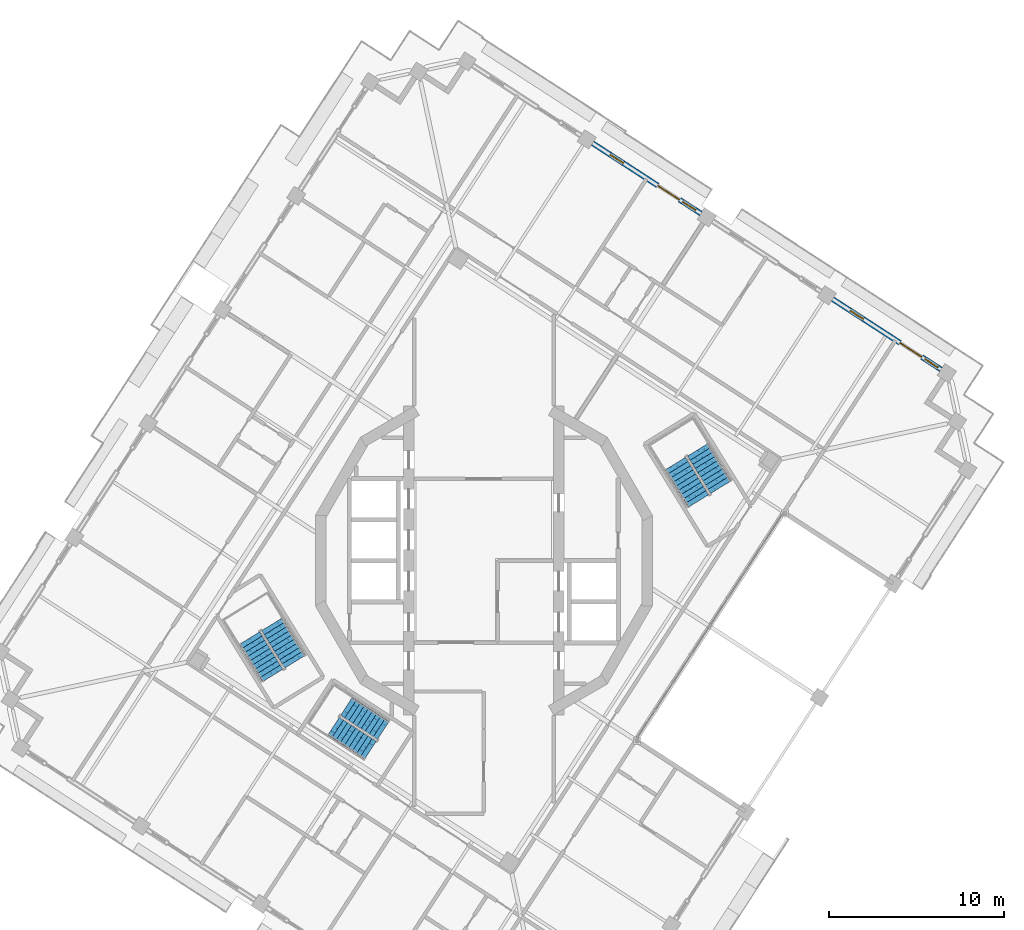
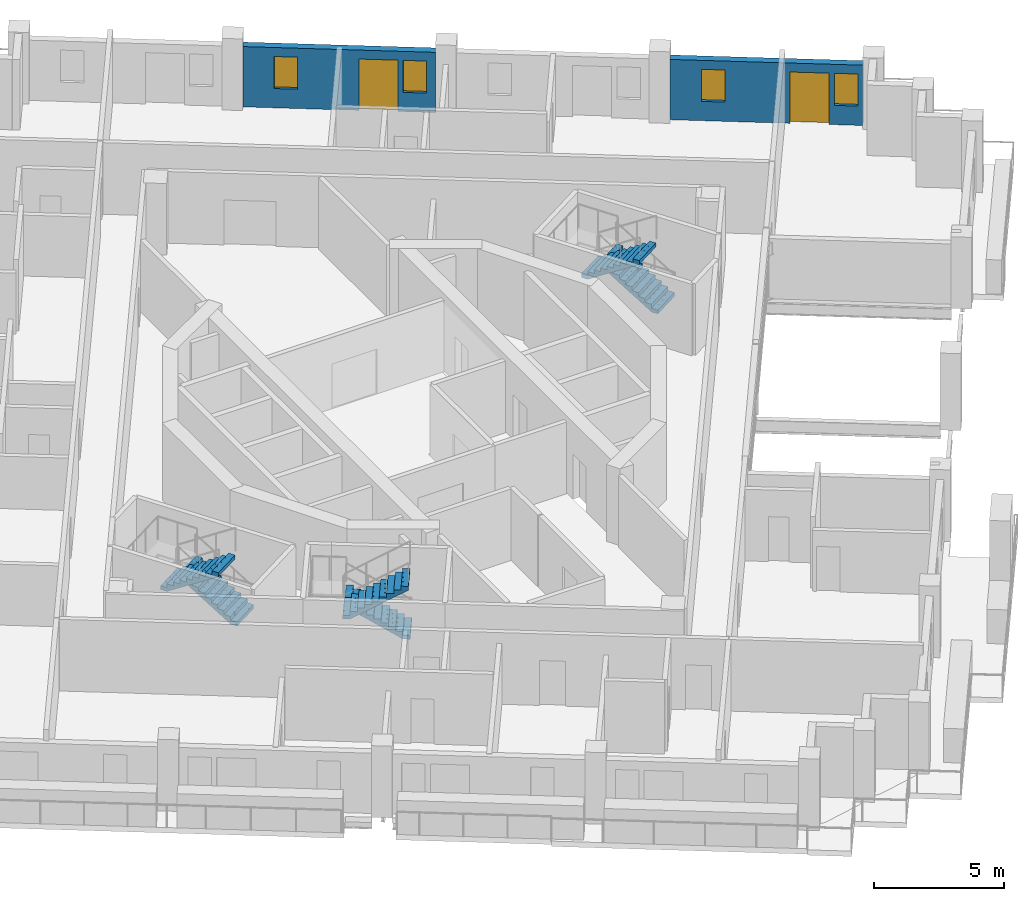
# One storey, part 11 of 17: 6 stair flights, 4 windows, 2 doors, 2 walls, 6 openings, 3 elements without a shape of their own.
"""IFC4 building model written with IfcOpenShell, lengths in metres."""

from ifc_helpers import new_model, si_unit, direction, frame, frame_2d, origin, place, context, subcontext, project, spatial, polyline, rectangle, outline, extrude, material, layer, layer_set, type_object, element, fill, aggregate, save


model = new_model("IFC4")

# Units and contexts
model_context = context("Model", 3, precision=1e-05, world=origin(), true_north=direction((0.0, 1.0)))
body_context = subcontext(model_context, "Body", "Model", "MODEL_VIEW")
ifc_project = project(units=[si_unit("LENGTHUNIT", "METRE"), si_unit("AREAUNIT", "SQUARE_METRE"), si_unit("VOLUMEUNIT", "CUBIC_METRE"), si_unit("PLANEANGLEUNIT", "RADIAN"), si_unit("MASSUNIT", "GRAM", prefix="KILO")], contexts=[model_context])

# Site, building, storey
site_placement = place(None, origin())
site = spatial("IfcSite", under=ifc_project, at=site_placement, CompositionType="ELEMENT")
building_placement = place(site_placement, origin())
building = spatial("IfcBuilding", under=site, at=building_placement, Name="Cantera Rosa Tower", CompositionType="ELEMENT")
storey_placement = place(building_placement, frame((0.0, 0.0, 264.89990234375)))
storey = spatial("IfcBuildingStorey", under=building, at=storey_placement, Name="L59", CompositionType="ELEMENT", Elevation=264.89990234375)

# Wall, openings, windows, door
ifc_material_1 = material(Name="Hollow clay masonry with cantera stone cladding", Category="masonry")
ifc_layer = layer(ifc_material_1, 0.300048828125)
ifc_layer_set = layer_set([ifc_layer], Name="EW-LOGGIA 300 H2820")
wall_type = type_object("IfcWallType", Name="EW-LOGGIA 300 H2820", PredefinedType="SOLIDWALL", material=ifc_layer_set)
wall_1_placement = place(storey_placement, frame((26.1904296875, 10.95263671875, 0.0), z_axis=(0.0, 0.0, 1.0), x_axis=(-0.838669679097, 0.544640403719, 0.0)))
wall_1 = element("IfcWall", 1, at=wall_1_placement, inside=storey, type_object=wall_type, Name="EN-L59-W01", PredefinedType="SOLIDWALL", context=body_context, shape_type="SweptSolid", body=[
    extrude(rectangle(XDim=7.39990234375, YDim=0.300048828125, at=frame_2d((3.699951171875, 0.0))), origin(), (0.0, 0.0, 1.0), 2.820068359375),
])
opening_1_placement = place(wall_1_placement, frame((0.199951171875, 0.0, 0.89990234375)))
opening_1 = element("IfcOpeningElement", 2, at=opening_1_placement, cuts=wall_1, Name="Opening L59-W01", PredefinedType="OPENING", context=body_context, shape_type="SweptSolid", body=[
    extrude(rectangle(XDim=0.89990234375, YDim=1.5, at=frame_2d((0.449951171875, 0.75))), frame((0.0, 0.159912109375, 0.0), z_axis=(0.0, -1.0, 0.0), x_axis=(1.0, 0.0, 0.0)), (0.0, 0.0, 1.0), 0.320068359375),
])
opening_2_placement = place(wall_1_placement, frame((1.300048828125, 0.0, 0.0)))
opening_2 = element("IfcOpeningElement", 3, at=opening_2_placement, cuts=wall_1, Name="Opening L59-TD02", PredefinedType="OPENING", context=body_context, shape_type="SweptSolid", body=[
    extrude(rectangle(XDim=1.5, YDim=2.39990234375, at=frame_2d((0.75, 1.199951171875))), frame((0.0, 0.159912109375, 0.0), z_axis=(0.0, -1.0, 0.0), x_axis=(1.0, 0.0, 0.0)), (0.0, 0.0, 1.0), 0.320068359375),
])
opening_3_placement = place(wall_1_placement, frame((5.300048828125, 0.0, 0.89990234375)))
opening_3 = element("IfcOpeningElement", 4, at=opening_3_placement, cuts=wall_1, Name="Opening L59-W03", PredefinedType="OPENING", context=body_context, shape_type="SweptSolid", body=[
    extrude(rectangle(XDim=0.89990234375, YDim=1.5, at=frame_2d((0.449951171875, 0.75))), frame((0.0, 0.159912109375, 0.0), z_axis=(0.0, -1.0, 0.0), x_axis=(1.0, 0.0, 0.0)), (0.0, 0.0, 1.0), 0.320068359375),
])
ifc_material_2 = material(Name="Aluminium frame with clear glass", Category="aluminium")
window_type = type_object("IfcWindowType", Name="Residential window 900x1500", PartitioningType="SINGLE_PANEL", PredefinedType="WINDOW", material=ifc_material_2)
window_1_placement = place(opening_1_placement, origin())
window_1 = element("IfcWindow", 5, at=window_1_placement, inside=storey, type_object=window_type, Name="WINDOW L59-W01", OverallHeight=1.5, OverallWidth=0.89990234375, PartitioningType="SINGLE_PANEL", PredefinedType="WINDOW", context=body_context, shape_type="SweptSolid", body=[
    extrude(rectangle(XDim=0.89990234375, YDim=1.5, at=frame_2d((0.449951171875, 0.75))), frame((0.0, 0.030029296875, 0.0), z_axis=(0.0, -1.0, 0.0), x_axis=(1.0, 0.0, 0.0)), (0.0, 0.0, 1.0), 0.06005859375),
])
fill(opening_1, window_1)
window_2_placement = place(opening_3_placement, origin())
window_2 = element("IfcWindow", 6, at=window_2_placement, inside=storey, type_object=window_type, Name="WINDOW L59-W03", OverallHeight=1.5, OverallWidth=0.89990234375, PartitioningType="SINGLE_PANEL", PredefinedType="WINDOW", context=body_context, shape_type="SweptSolid", body=[
    extrude(rectangle(XDim=0.89990234375, YDim=1.5, at=frame_2d((0.449951171875, 0.75))), frame((0.0, 0.030029296875, 0.0), z_axis=(0.0, -1.0, 0.0), x_axis=(1.0, 0.0, 0.0)), (0.0, 0.0, 1.0), 0.06005859375),
])
fill(opening_3, window_2)
ifc_material_3 = material(Name="Aluminium frame with clear glass", Category="aluminium")
door_type = type_object("IfcDoorType", Name="TD-R 1500x2400", OperationType="NOTDEFINED", PredefinedType="DOOR", material=ifc_material_3)
door_1_placement = place(opening_2_placement, origin())
door_1 = element("IfcDoor", 7, at=door_1_placement, inside=storey, type_object=door_type, Name="LOGGIA DOOR L59-TD02", OperationType="SLIDING_TO_LEFT", OverallHeight=2.39990234375, OverallWidth=1.5, PredefinedType="DOOR", context=body_context, shape_type="SweptSolid", body=[
    extrude(rectangle(XDim=1.5, YDim=2.39990234375, at=frame_2d((0.75, 1.199951171875))), frame((0.0, 0.02490234375, 0.0), z_axis=(0.0, -1.0, 0.0), x_axis=(1.0, 0.0, 0.0)), (0.0, 0.0, 1.0), 0.050048828125),
])
fill(opening_2, door_1)

wall_2_placement = place(storey_placement, frame((12.436279296875, 19.884765625, 0.0), z_axis=(0.0, 0.0, 1.0), x_axis=(-0.838669679097, 0.544640403719, 0.0)))
wall_2 = element("IfcWall", 8, at=wall_2_placement, inside=storey, type_object=wall_type, Name="EN-L59-W03", PredefinedType="SOLIDWALL", context=body_context, shape_type="SweptSolid", body=[
    extrude(rectangle(XDim=7.39990234375, YDim=0.300048828125, at=frame_2d((3.699951171875, 0.0))), origin(), (0.0, 0.0, 1.0), 2.820068359375),
])
opening_4_placement = place(wall_2_placement, frame((0.35009765625, 0.0, 0.89990234375)))
opening_4 = element("IfcOpeningElement", 9, at=opening_4_placement, cuts=wall_2, Name="Opening L59-W07", PredefinedType="OPENING", context=body_context, shape_type="SweptSolid", body=[
    extrude(rectangle(XDim=0.89990234375, YDim=1.5, at=frame_2d((0.449951171875, 0.75))), frame((0.0, 0.159912109375, 0.0), z_axis=(0.0, -1.0, 0.0), x_axis=(1.0, 0.0, 0.0)), (0.0, 0.0, 1.0), 0.320068359375),
])
opening_5_placement = place(wall_2_placement, frame((1.449951171875, 0.0, 0.0)))
opening_5 = element("IfcOpeningElement", 10, at=opening_5_placement, cuts=wall_2, Name="Opening L59-TD08", PredefinedType="OPENING", context=body_context, shape_type="SweptSolid", body=[
    extrude(rectangle(XDim=1.5, YDim=2.39990234375, at=frame_2d((0.75, 1.199951171875))), frame((0.0, 0.159912109375, 0.0), z_axis=(0.0, -1.0, 0.0), x_axis=(1.0, 0.0, 0.0)), (0.0, 0.0, 1.0), 0.320068359375),
])
opening_6_placement = place(wall_2_placement, frame((5.300048828125, 0.0, 0.89990234375)))
opening_6 = element("IfcOpeningElement", 11, at=opening_6_placement, cuts=wall_2, Name="Opening L59-W09", PredefinedType="OPENING", context=body_context, shape_type="SweptSolid", body=[
    extrude(rectangle(XDim=0.89990234375, YDim=1.5, at=frame_2d((0.449951171875, 0.75))), frame((0.0, 0.159912109375, 0.0), z_axis=(0.0, -1.0, 0.0), x_axis=(1.0, 0.0, 0.0)), (0.0, 0.0, 1.0), 0.320068359375),
])
window_3_placement = place(opening_4_placement, origin())
window_3 = element("IfcWindow", 12, at=window_3_placement, inside=storey, type_object=window_type, Name="WINDOW L59-W07", OverallHeight=1.5, OverallWidth=0.89990234375, PartitioningType="SINGLE_PANEL", PredefinedType="WINDOW", context=body_context, shape_type="SweptSolid", body=[
    extrude(rectangle(XDim=0.89990234375, YDim=1.5, at=frame_2d((0.449951171875, 0.75))), frame((0.0, 0.030029296875, 0.0), z_axis=(0.0, -1.0, 0.0), x_axis=(1.0, 0.0, 0.0)), (0.0, 0.0, 1.0), 0.06005859375),
])
fill(opening_4, window_3)
window_4_placement = place(opening_6_placement, origin())
window_4 = element("IfcWindow", 13, at=window_4_placement, inside=storey, type_object=window_type, Name="WINDOW L59-W09", OverallHeight=1.5, OverallWidth=0.89990234375, PartitioningType="SINGLE_PANEL", PredefinedType="WINDOW", context=body_context, shape_type="SweptSolid", body=[
    extrude(rectangle(XDim=0.89990234375, YDim=1.5, at=frame_2d((0.449951171875, 0.75))), frame((0.0, 0.030029296875, 0.0), z_axis=(0.0, -1.0, 0.0), x_axis=(1.0, 0.0, 0.0)), (0.0, 0.0, 1.0), 0.06005859375),
])
fill(opening_6, window_4)
door_2_placement = place(opening_5_placement, origin())
door_2 = element("IfcDoor", 14, at=door_2_placement, inside=storey, type_object=door_type, Name="LOGGIA DOOR L59-TD08", OperationType="SLIDING_TO_LEFT", OverallHeight=2.39990234375, OverallWidth=1.5, PredefinedType="DOOR", context=body_context, shape_type="SweptSolid", body=[
    extrude(rectangle(XDim=1.5, YDim=2.39990234375, at=frame_2d((0.75, 1.199951171875))), frame((0.0, 0.02490234375, 0.0), z_axis=(0.0, -1.0, 0.0), x_axis=(1.0, 0.0, 0.0)), (0.0, 0.0, 1.0), 0.050048828125),
])
fill(opening_5, door_2)

# Stair, stair flights
ifc_material_4 = material(Name="Concrete C35/45", Category="concrete")
stair_type_1 = type_object("IfcStairType", Name="EXIT STAIR 1200 DOGLEG", PredefinedType="HALF_TURN_STAIR", material=ifc_material_4)
stair_1_placement = place(storey_placement, origin())
stair_1 = element("IfcStair", 15, at=stair_1_placement, inside=storey, type_object=stair_type_1, Name="L59 ST-53", PredefinedType="HALF_TURN_STAIR")
ifc_material_5 = material(Name="Concrete C35/45", Category="concrete")
stair_flight_type_1 = type_object("IfcStairFlightType", Name="STAIR FLIGHT 1200 R20x180", PredefinedType="STRAIGHT", material=ifc_material_5)
stair_flight_1_placement = place(storey_placement, frame((-5.76318359375, -9.728271484375, 0.0), z_axis=(0.0, 0.0, 1.0), x_axis=(-0.838670567945, 0.544639035015, 0.0)))
stair_flight_1 = element("IfcStairFlight", 16, at=stair_flight_1_placement, type_object=stair_flight_type_1, Name="ST-53 flight 1", NumberOfRisers=10, NumberOfTreads=9, PredefinedType="STRAIGHT", RiserHeight=0.18, TreadLength=0.28, context=body_context, shape_type="SweptSolid", body=[
    extrude(outline(polyline([(0.0, 0.0), (0.0, 0.179931640625), (0.280029296875, 0.179931640625), (0.280029296875, 0.360107421875), (0.56005859375, 0.360107421875), (0.56005859375, 0.5400390625), (0.840087890625, 0.5400390625), (0.840087890625, 0.719970703125), (1.1201171875, 0.719970703125), (1.1201171875, 0.89990234375), (1.39990234375, 0.89990234375), (1.39990234375, 1.080078125), (1.679931640625, 1.080078125), (1.679931640625, 1.260009765625), (1.9599609375, 1.260009765625), (1.9599609375, 1.43994140625), (2.239990234375, 1.43994140625), (2.239990234375, 1.6201171875), (2.52001953125, 1.6201171875), (2.52001953125, 1.800048828125), (2.52001953125, 1.44189453125), (0.277099609375, 0.0), (0.0, 0.0)])), frame((0.0, 0.60009765625, 0.0), z_axis=(0.0, -1.0, 0.0), x_axis=(1.0, 0.0, 0.0)), (0.0, 0.0, 1.0), 0.298583984375),
    extrude(outline(polyline([(0.0, 0.0), (0.0, 0.179931640625), (0.280029296875, 0.179931640625), (0.280029296875, 0.360107421875), (0.56005859375, 0.360107421875), (0.56005859375, 0.5400390625), (0.840087890625, 0.5400390625), (0.840087890625, 0.719970703125), (1.1201171875, 0.719970703125), (1.1201171875, 0.89990234375), (1.39990234375, 0.89990234375), (1.39990234375, 1.080078125), (1.679931640625, 1.080078125), (1.679931640625, 1.260009765625), (1.9599609375, 1.260009765625), (1.9599609375, 1.43994140625), (2.239990234375, 1.43994140625), (2.239990234375, 1.6201171875), (2.52001953125, 1.6201171875), (2.52001953125, 1.800048828125), (2.52001953125, 1.44189453125), (0.277099609375, 0.0), (0.0, 0.0)])), frame((0.0, 0.29931640625, 0.0), z_axis=(0.0, -1.0, 0.0), x_axis=(1.0, 0.0, 0.0)), (0.0, 0.0, 1.0), 0.298583984375),
    extrude(outline(polyline([(0.0, 0.0), (0.0, 0.179931640625), (0.280029296875, 0.179931640625), (0.280029296875, 0.360107421875), (0.56005859375, 0.360107421875), (0.56005859375, 0.5400390625), (0.840087890625, 0.5400390625), (0.840087890625, 0.719970703125), (1.1201171875, 0.719970703125), (1.1201171875, 0.89990234375), (1.39990234375, 0.89990234375), (1.39990234375, 1.080078125), (1.679931640625, 1.080078125), (1.679931640625, 1.260009765625), (1.9599609375, 1.260009765625), (1.9599609375, 1.43994140625), (2.239990234375, 1.43994140625), (2.239990234375, 1.6201171875), (2.52001953125, 1.6201171875), (2.52001953125, 1.800048828125), (2.52001953125, 1.44189453125), (0.277099609375, 0.0), (0.0, 0.0)])), frame((0.0, -0.0009765625, 0.0), z_axis=(0.0, -1.0, 0.0), x_axis=(1.0, 0.0, 0.0)), (0.0, 0.0, 1.0), 0.298583984375),
    extrude(outline(polyline([(0.0, 0.0), (0.0, 0.179931640625), (0.280029296875, 0.179931640625), (0.280029296875, 0.360107421875), (0.56005859375, 0.360107421875), (0.56005859375, 0.5400390625), (0.840087890625, 0.5400390625), (0.840087890625, 0.719970703125), (1.1201171875, 0.719970703125), (1.1201171875, 0.89990234375), (1.39990234375, 0.89990234375), (1.39990234375, 1.080078125), (1.679931640625, 1.080078125), (1.679931640625, 1.260009765625), (1.9599609375, 1.260009765625), (1.9599609375, 1.43994140625), (2.239990234375, 1.43994140625), (2.239990234375, 1.6201171875), (2.52001953125, 1.6201171875), (2.52001953125, 1.800048828125), (2.52001953125, 1.44189453125), (0.277099609375, 0.0), (0.0, 0.0)])), frame((0.0, -0.3017578125, 0.0), z_axis=(0.0, -1.0, 0.0), x_axis=(1.0, 0.0, 0.0)), (0.0, 0.0, 1.0), 0.298583984375),
])
stair_flight_2_placement = place(storey_placement, frame((-8.61181640625, -9.488037109375, 1.800048828125), z_axis=(0.0, 0.0, 1.0), x_axis=(0.838670567945, -0.544639035015, 0.0)))
stair_flight_2 = element("IfcStairFlight", 17, at=stair_flight_2_placement, type_object=stair_flight_type_1, Name="ST-53 flight 2", NumberOfRisers=10, NumberOfTreads=9, PredefinedType="STRAIGHT", RiserHeight=0.18, TreadLength=0.28, context=body_context, shape_type="SweptSolid", body=[
    extrude(outline(polyline([(0.0, 0.0), (0.0, 0.179931640625), (0.280029296875, 0.179931640625), (0.280029296875, 0.360107421875), (0.56005859375, 0.360107421875), (0.56005859375, 0.5400390625), (0.840087890625, 0.5400390625), (0.840087890625, 0.719970703125), (1.1201171875, 0.719970703125), (1.1201171875, 0.89990234375), (1.39990234375, 0.89990234375), (1.39990234375, 1.080078125), (1.679931640625, 1.080078125), (1.679931640625, 1.260009765625), (1.9599609375, 1.260009765625), (1.9599609375, 1.43994140625), (2.239990234375, 1.43994140625), (2.239990234375, 1.6201171875), (2.52001953125, 1.6201171875), (2.52001953125, 1.800048828125), (2.52001953125, 1.44189453125), (0.277099609375, 0.0), (0.0, 0.0)])), frame((0.0, 0.60009765625, 0.0), z_axis=(0.0, -1.0, 0.0), x_axis=(1.0, 0.0, 0.0)), (0.0, 0.0, 1.0), 0.298583984375),
    extrude(outline(polyline([(0.0, 0.0), (0.0, 0.179931640625), (0.280029296875, 0.179931640625), (0.280029296875, 0.360107421875), (0.56005859375, 0.360107421875), (0.56005859375, 0.5400390625), (0.840087890625, 0.5400390625), (0.840087890625, 0.719970703125), (1.1201171875, 0.719970703125), (1.1201171875, 0.89990234375), (1.39990234375, 0.89990234375), (1.39990234375, 1.080078125), (1.679931640625, 1.080078125), (1.679931640625, 1.260009765625), (1.9599609375, 1.260009765625), (1.9599609375, 1.43994140625), (2.239990234375, 1.43994140625), (2.239990234375, 1.6201171875), (2.52001953125, 1.6201171875), (2.52001953125, 1.800048828125), (2.52001953125, 1.44189453125), (0.277099609375, 0.0), (0.0, 0.0)])), frame((0.0, 0.29931640625, 0.0), z_axis=(0.0, -1.0, 0.0), x_axis=(1.0, 0.0, 0.0)), (0.0, 0.0, 1.0), 0.298583984375),
    extrude(outline(polyline([(0.0, 0.0), (0.0, 0.179931640625), (0.280029296875, 0.179931640625), (0.280029296875, 0.360107421875), (0.56005859375, 0.360107421875), (0.56005859375, 0.5400390625), (0.840087890625, 0.5400390625), (0.840087890625, 0.719970703125), (1.1201171875, 0.719970703125), (1.1201171875, 0.89990234375), (1.39990234375, 0.89990234375), (1.39990234375, 1.080078125), (1.679931640625, 1.080078125), (1.679931640625, 1.260009765625), (1.9599609375, 1.260009765625), (1.9599609375, 1.43994140625), (2.239990234375, 1.43994140625), (2.239990234375, 1.6201171875), (2.52001953125, 1.6201171875), (2.52001953125, 1.800048828125), (2.52001953125, 1.44189453125), (0.277099609375, 0.0), (0.0, 0.0)])), frame((0.0, -0.0009765625, 0.0), z_axis=(0.0, -1.0, 0.0), x_axis=(1.0, 0.0, 0.0)), (0.0, 0.0, 1.0), 0.298583984375),
    extrude(outline(polyline([(0.0, 0.0), (0.0, 0.179931640625), (0.280029296875, 0.179931640625), (0.280029296875, 0.360107421875), (0.56005859375, 0.360107421875), (0.56005859375, 0.5400390625), (0.840087890625, 0.5400390625), (0.840087890625, 0.719970703125), (1.1201171875, 0.719970703125), (1.1201171875, 0.89990234375), (1.39990234375, 0.89990234375), (1.39990234375, 1.080078125), (1.679931640625, 1.080078125), (1.679931640625, 1.260009765625), (1.9599609375, 1.260009765625), (1.9599609375, 1.43994140625), (2.239990234375, 1.43994140625), (2.239990234375, 1.6201171875), (2.52001953125, 1.6201171875), (2.52001953125, 1.800048828125), (2.52001953125, 1.44189453125), (0.277099609375, 0.0), (0.0, 0.0)])), frame((0.0, -0.3017578125, 0.0), z_axis=(0.0, -1.0, 0.0), x_axis=(1.0, 0.0, 0.0)), (0.0, 0.0, 1.0), 0.298583984375),
])
aggregate(stair_1, [stair_flight_1, stair_flight_2])

ifc_material_6 = material(Name="Concrete C35/45", Category="concrete")
stair_type_2 = type_object("IfcStairType", Name="EXIT STAIR 1350 DOGLEG", PredefinedType="HALF_TURN_STAIR", material=ifc_material_6)
stair_2_placement = place(storey_placement, origin())
stair_2 = element("IfcStair", 18, at=stair_2_placement, inside=storey, type_object=stair_type_2, Name="L59 ST-51", PredefinedType="HALF_TURN_STAIR")
ifc_material_7 = material(Name="Concrete C35/45", Category="concrete")
stair_flight_type_2 = type_object("IfcStairFlightType", Name="STAIR FLIGHT 1350 R20x180", PredefinedType="STRAIGHT", material=ifc_material_7)
stair_flight_3_placement = place(storey_placement, frame((13.5732421875, 4.2021484375, 0.0), z_axis=(0.0, 0.0, 1.0), x_axis=(-0.524976585286, 0.851116669383, 0.0)))
stair_flight_3 = element("IfcStairFlight", 19, at=stair_flight_3_placement, type_object=stair_flight_type_2, Name="ST-51 flight 1", NumberOfRisers=10, NumberOfTreads=9, PredefinedType="STRAIGHT", RiserHeight=0.18, TreadLength=0.28, context=body_context, shape_type="SweptSolid", body=[
    extrude(outline(polyline([(0.0, 0.0), (0.0, 0.179931640625), (0.280029296875, 0.179931640625), (0.280029296875, 0.360107421875), (0.56005859375, 0.360107421875), (0.56005859375, 0.5400390625), (0.840087890625, 0.5400390625), (0.840087890625, 0.719970703125), (1.1201171875, 0.719970703125), (1.1201171875, 0.89990234375), (1.39990234375, 0.89990234375), (1.39990234375, 1.080078125), (1.679931640625, 1.080078125), (1.679931640625, 1.260009765625), (1.9599609375, 1.260009765625), (1.9599609375, 1.43994140625), (2.239990234375, 1.43994140625), (2.239990234375, 1.6201171875), (2.52001953125, 1.6201171875), (2.52001953125, 1.800048828125), (2.52001953125, 1.44189453125), (0.277099609375, 0.0), (0.0, 0.0)])), frame((0.0, 0.675048828125, 0.0), z_axis=(0.0, -1.0, 0.0), x_axis=(1.0, 0.0, 0.0)), (0.0, 0.0, 1.0), 0.3359375),
    extrude(outline(polyline([(0.0, 0.0), (0.0, 0.179931640625), (0.280029296875, 0.179931640625), (0.280029296875, 0.360107421875), (0.56005859375, 0.360107421875), (0.56005859375, 0.5400390625), (0.840087890625, 0.5400390625), (0.840087890625, 0.719970703125), (1.1201171875, 0.719970703125), (1.1201171875, 0.89990234375), (1.39990234375, 0.89990234375), (1.39990234375, 1.080078125), (1.679931640625, 1.080078125), (1.679931640625, 1.260009765625), (1.9599609375, 1.260009765625), (1.9599609375, 1.43994140625), (2.239990234375, 1.43994140625), (2.239990234375, 1.6201171875), (2.52001953125, 1.6201171875), (2.52001953125, 1.800048828125), (2.52001953125, 1.44189453125), (0.277099609375, 0.0), (0.0, 0.0)])), frame((0.0, 0.337158203125, 0.0), z_axis=(0.0, -1.0, 0.0), x_axis=(1.0, 0.0, 0.0)), (0.0, 0.0, 1.0), 0.3359375),
    extrude(outline(polyline([(0.0, 0.0), (0.0, 0.179931640625), (0.280029296875, 0.179931640625), (0.280029296875, 0.360107421875), (0.56005859375, 0.360107421875), (0.56005859375, 0.5400390625), (0.840087890625, 0.5400390625), (0.840087890625, 0.719970703125), (1.1201171875, 0.719970703125), (1.1201171875, 0.89990234375), (1.39990234375, 0.89990234375), (1.39990234375, 1.080078125), (1.679931640625, 1.080078125), (1.679931640625, 1.260009765625), (1.9599609375, 1.260009765625), (1.9599609375, 1.43994140625), (2.239990234375, 1.43994140625), (2.239990234375, 1.6201171875), (2.52001953125, 1.6201171875), (2.52001953125, 1.800048828125), (2.52001953125, 1.44189453125), (0.277099609375, 0.0), (0.0, 0.0)])), frame((0.0, -0.000732421875, 0.0), z_axis=(0.0, -1.0, 0.0), x_axis=(1.0, 0.0, 0.0)), (0.0, 0.0, 1.0), 0.3359375),
    extrude(outline(polyline([(0.0, 0.0), (0.0, 0.179931640625), (0.280029296875, 0.179931640625), (0.280029296875, 0.360107421875), (0.56005859375, 0.360107421875), (0.56005859375, 0.5400390625), (0.840087890625, 0.5400390625), (0.840087890625, 0.719970703125), (1.1201171875, 0.719970703125), (1.1201171875, 0.89990234375), (1.39990234375, 0.89990234375), (1.39990234375, 1.080078125), (1.679931640625, 1.080078125), (1.679931640625, 1.260009765625), (1.9599609375, 1.260009765625), (1.9599609375, 1.43994140625), (2.239990234375, 1.43994140625), (2.239990234375, 1.6201171875), (2.52001953125, 1.6201171875), (2.52001953125, 1.800048828125), (2.52001953125, 1.44189453125), (0.277099609375, 0.0), (0.0, 0.0)])), frame((0.0, -0.338623046875, 0.0), z_axis=(0.0, -1.0, 0.0), x_axis=(1.0, 0.0, 0.0)), (0.0, 0.0, 1.0), 0.3359375),
])
stair_flight_4_placement = place(storey_placement, frame((10.9736328125, 5.5595703125, 1.800048828125), z_axis=(0.0, 0.0, 1.0), x_axis=(0.524976585286, -0.851116669383, 0.0)))
stair_flight_4 = element("IfcStairFlight", 20, at=stair_flight_4_placement, type_object=stair_flight_type_2, Name="ST-51 flight 2", NumberOfRisers=10, NumberOfTreads=9, PredefinedType="STRAIGHT", RiserHeight=0.18, TreadLength=0.28, context=body_context, shape_type="SweptSolid", body=[
    extrude(outline(polyline([(0.0, 0.0), (0.0, 0.179931640625), (0.280029296875, 0.179931640625), (0.280029296875, 0.360107421875), (0.56005859375, 0.360107421875), (0.56005859375, 0.5400390625), (0.840087890625, 0.5400390625), (0.840087890625, 0.719970703125), (1.1201171875, 0.719970703125), (1.1201171875, 0.89990234375), (1.39990234375, 0.89990234375), (1.39990234375, 1.080078125), (1.679931640625, 1.080078125), (1.679931640625, 1.260009765625), (1.9599609375, 1.260009765625), (1.9599609375, 1.43994140625), (2.239990234375, 1.43994140625), (2.239990234375, 1.6201171875), (2.52001953125, 1.6201171875), (2.52001953125, 1.800048828125), (2.52001953125, 1.44189453125), (0.277099609375, 0.0), (0.0, 0.0)])), frame((0.0, 0.675048828125, 0.0), z_axis=(0.0, -1.0, 0.0), x_axis=(1.0, 0.0, 0.0)), (0.0, 0.0, 1.0), 0.3359375),
    extrude(outline(polyline([(0.0, 0.0), (0.0, 0.179931640625), (0.280029296875, 0.179931640625), (0.280029296875, 0.360107421875), (0.56005859375, 0.360107421875), (0.56005859375, 0.5400390625), (0.840087890625, 0.5400390625), (0.840087890625, 0.719970703125), (1.1201171875, 0.719970703125), (1.1201171875, 0.89990234375), (1.39990234375, 0.89990234375), (1.39990234375, 1.080078125), (1.679931640625, 1.080078125), (1.679931640625, 1.260009765625), (1.9599609375, 1.260009765625), (1.9599609375, 1.43994140625), (2.239990234375, 1.43994140625), (2.239990234375, 1.6201171875), (2.52001953125, 1.6201171875), (2.52001953125, 1.800048828125), (2.52001953125, 1.44189453125), (0.277099609375, 0.0), (0.0, 0.0)])), frame((0.0, 0.337158203125, 0.0), z_axis=(0.0, -1.0, 0.0), x_axis=(1.0, 0.0, 0.0)), (0.0, 0.0, 1.0), 0.3359375),
    extrude(outline(polyline([(0.0, 0.0), (0.0, 0.179931640625), (0.280029296875, 0.179931640625), (0.280029296875, 0.360107421875), (0.56005859375, 0.360107421875), (0.56005859375, 0.5400390625), (0.840087890625, 0.5400390625), (0.840087890625, 0.719970703125), (1.1201171875, 0.719970703125), (1.1201171875, 0.89990234375), (1.39990234375, 0.89990234375), (1.39990234375, 1.080078125), (1.679931640625, 1.080078125), (1.679931640625, 1.260009765625), (1.9599609375, 1.260009765625), (1.9599609375, 1.43994140625), (2.239990234375, 1.43994140625), (2.239990234375, 1.6201171875), (2.52001953125, 1.6201171875), (2.52001953125, 1.800048828125), (2.52001953125, 1.44189453125), (0.277099609375, 0.0), (0.0, 0.0)])), frame((0.0, -0.000732421875, 0.0), z_axis=(0.0, -1.0, 0.0), x_axis=(1.0, 0.0, 0.0)), (0.0, 0.0, 1.0), 0.3359375),
    extrude(outline(polyline([(0.0, 0.0), (0.0, 0.179931640625), (0.280029296875, 0.179931640625), (0.280029296875, 0.360107421875), (0.56005859375, 0.360107421875), (0.56005859375, 0.5400390625), (0.840087890625, 0.5400390625), (0.840087890625, 0.719970703125), (1.1201171875, 0.719970703125), (1.1201171875, 0.89990234375), (1.39990234375, 0.89990234375), (1.39990234375, 1.080078125), (1.679931640625, 1.080078125), (1.679931640625, 1.260009765625), (1.9599609375, 1.260009765625), (1.9599609375, 1.43994140625), (2.239990234375, 1.43994140625), (2.239990234375, 1.6201171875), (2.52001953125, 1.6201171875), (2.52001953125, 1.800048828125), (2.52001953125, 1.44189453125), (0.277099609375, 0.0), (0.0, 0.0)])), frame((0.0, -0.338623046875, 0.0), z_axis=(0.0, -1.0, 0.0), x_axis=(1.0, 0.0, 0.0)), (0.0, 0.0, 1.0), 0.3359375),
])
aggregate(stair_2, [stair_flight_3, stair_flight_4])

stair_3_placement = place(storey_placement, origin())
stair_3 = element("IfcStair", 21, at=stair_3_placement, inside=storey, type_object=stair_type_2, Name="L59 ST-52", PredefinedType="HALF_TURN_STAIR")
stair_flight_5_placement = place(storey_placement, frame((-10.82666015625, -5.7978515625, 0.0), z_axis=(0.0, 0.0, 1.0), x_axis=(-0.524976585286, 0.851116669383, 0.0)))
stair_flight_5 = element("IfcStairFlight", 22, at=stair_flight_5_placement, type_object=stair_flight_type_2, Name="ST-52 flight 1", NumberOfRisers=10, NumberOfTreads=9, PredefinedType="STRAIGHT", RiserHeight=0.18, TreadLength=0.28, context=body_context, shape_type="SweptSolid", body=[
    extrude(outline(polyline([(0.0, 0.0), (0.0, 0.179931640625), (0.280029296875, 0.179931640625), (0.280029296875, 0.360107421875), (0.56005859375, 0.360107421875), (0.56005859375, 0.5400390625), (0.840087890625, 0.5400390625), (0.840087890625, 0.719970703125), (1.1201171875, 0.719970703125), (1.1201171875, 0.89990234375), (1.39990234375, 0.89990234375), (1.39990234375, 1.080078125), (1.679931640625, 1.080078125), (1.679931640625, 1.260009765625), (1.9599609375, 1.260009765625), (1.9599609375, 1.43994140625), (2.239990234375, 1.43994140625), (2.239990234375, 1.6201171875), (2.52001953125, 1.6201171875), (2.52001953125, 1.800048828125), (2.52001953125, 1.44189453125), (0.277099609375, 0.0), (0.0, 0.0)])), frame((0.0, 0.675048828125, 0.0), z_axis=(0.0, -1.0, 0.0), x_axis=(1.0, 0.0, 0.0)), (0.0, 0.0, 1.0), 0.3359375),
    extrude(outline(polyline([(0.0, 0.0), (0.0, 0.179931640625), (0.280029296875, 0.179931640625), (0.280029296875, 0.360107421875), (0.56005859375, 0.360107421875), (0.56005859375, 0.5400390625), (0.840087890625, 0.5400390625), (0.840087890625, 0.719970703125), (1.1201171875, 0.719970703125), (1.1201171875, 0.89990234375), (1.39990234375, 0.89990234375), (1.39990234375, 1.080078125), (1.679931640625, 1.080078125), (1.679931640625, 1.260009765625), (1.9599609375, 1.260009765625), (1.9599609375, 1.43994140625), (2.239990234375, 1.43994140625), (2.239990234375, 1.6201171875), (2.52001953125, 1.6201171875), (2.52001953125, 1.800048828125), (2.52001953125, 1.44189453125), (0.277099609375, 0.0), (0.0, 0.0)])), frame((0.0, 0.337158203125, 0.0), z_axis=(0.0, -1.0, 0.0), x_axis=(1.0, 0.0, 0.0)), (0.0, 0.0, 1.0), 0.3359375),
    extrude(outline(polyline([(0.0, 0.0), (0.0, 0.179931640625), (0.280029296875, 0.179931640625), (0.280029296875, 0.360107421875), (0.56005859375, 0.360107421875), (0.56005859375, 0.5400390625), (0.840087890625, 0.5400390625), (0.840087890625, 0.719970703125), (1.1201171875, 0.719970703125), (1.1201171875, 0.89990234375), (1.39990234375, 0.89990234375), (1.39990234375, 1.080078125), (1.679931640625, 1.080078125), (1.679931640625, 1.260009765625), (1.9599609375, 1.260009765625), (1.9599609375, 1.43994140625), (2.239990234375, 1.43994140625), (2.239990234375, 1.6201171875), (2.52001953125, 1.6201171875), (2.52001953125, 1.800048828125), (2.52001953125, 1.44189453125), (0.277099609375, 0.0), (0.0, 0.0)])), frame((0.0, -0.000732421875, 0.0), z_axis=(0.0, -1.0, 0.0), x_axis=(1.0, 0.0, 0.0)), (0.0, 0.0, 1.0), 0.3359375),
    extrude(outline(polyline([(0.0, 0.0), (0.0, 0.179931640625), (0.280029296875, 0.179931640625), (0.280029296875, 0.360107421875), (0.56005859375, 0.360107421875), (0.56005859375, 0.5400390625), (0.840087890625, 0.5400390625), (0.840087890625, 0.719970703125), (1.1201171875, 0.719970703125), (1.1201171875, 0.89990234375), (1.39990234375, 0.89990234375), (1.39990234375, 1.080078125), (1.679931640625, 1.080078125), (1.679931640625, 1.260009765625), (1.9599609375, 1.260009765625), (1.9599609375, 1.43994140625), (2.239990234375, 1.43994140625), (2.239990234375, 1.6201171875), (2.52001953125, 1.6201171875), (2.52001953125, 1.800048828125), (2.52001953125, 1.44189453125), (0.277099609375, 0.0), (0.0, 0.0)])), frame((0.0, -0.338623046875, 0.0), z_axis=(0.0, -1.0, 0.0), x_axis=(1.0, 0.0, 0.0)), (0.0, 0.0, 1.0), 0.3359375),
])
stair_flight_6_placement = place(storey_placement, frame((-13.42626953125, -4.4404296875, 1.800048828125), z_axis=(0.0, 0.0, 1.0), x_axis=(0.524976585286, -0.851116669383, 0.0)))
stair_flight_6 = element("IfcStairFlight", 23, at=stair_flight_6_placement, type_object=stair_flight_type_2, Name="ST-52 flight 2", NumberOfRisers=10, NumberOfTreads=9, PredefinedType="STRAIGHT", RiserHeight=0.18, TreadLength=0.28, context=body_context, shape_type="SweptSolid", body=[
    extrude(outline(polyline([(0.0, 0.0), (0.0, 0.179931640625), (0.280029296875, 0.179931640625), (0.280029296875, 0.360107421875), (0.56005859375, 0.360107421875), (0.56005859375, 0.5400390625), (0.840087890625, 0.5400390625), (0.840087890625, 0.719970703125), (1.1201171875, 0.719970703125), (1.1201171875, 0.89990234375), (1.39990234375, 0.89990234375), (1.39990234375, 1.080078125), (1.679931640625, 1.080078125), (1.679931640625, 1.260009765625), (1.9599609375, 1.260009765625), (1.9599609375, 1.43994140625), (2.239990234375, 1.43994140625), (2.239990234375, 1.6201171875), (2.52001953125, 1.6201171875), (2.52001953125, 1.800048828125), (2.52001953125, 1.44189453125), (0.277099609375, 0.0), (0.0, 0.0)])), frame((0.0, 0.675048828125, 0.0), z_axis=(0.0, -1.0, 0.0), x_axis=(1.0, 0.0, 0.0)), (0.0, 0.0, 1.0), 0.3359375),
    extrude(outline(polyline([(0.0, 0.0), (0.0, 0.179931640625), (0.280029296875, 0.179931640625), (0.280029296875, 0.360107421875), (0.56005859375, 0.360107421875), (0.56005859375, 0.5400390625), (0.840087890625, 0.5400390625), (0.840087890625, 0.719970703125), (1.1201171875, 0.719970703125), (1.1201171875, 0.89990234375), (1.39990234375, 0.89990234375), (1.39990234375, 1.080078125), (1.679931640625, 1.080078125), (1.679931640625, 1.260009765625), (1.9599609375, 1.260009765625), (1.9599609375, 1.43994140625), (2.239990234375, 1.43994140625), (2.239990234375, 1.6201171875), (2.52001953125, 1.6201171875), (2.52001953125, 1.800048828125), (2.52001953125, 1.44189453125), (0.277099609375, 0.0), (0.0, 0.0)])), frame((0.0, 0.337158203125, 0.0), z_axis=(0.0, -1.0, 0.0), x_axis=(1.0, 0.0, 0.0)), (0.0, 0.0, 1.0), 0.3359375),
    extrude(outline(polyline([(0.0, 0.0), (0.0, 0.179931640625), (0.280029296875, 0.179931640625), (0.280029296875, 0.360107421875), (0.56005859375, 0.360107421875), (0.56005859375, 0.5400390625), (0.840087890625, 0.5400390625), (0.840087890625, 0.719970703125), (1.1201171875, 0.719970703125), (1.1201171875, 0.89990234375), (1.39990234375, 0.89990234375), (1.39990234375, 1.080078125), (1.679931640625, 1.080078125), (1.679931640625, 1.260009765625), (1.9599609375, 1.260009765625), (1.9599609375, 1.43994140625), (2.239990234375, 1.43994140625), (2.239990234375, 1.6201171875), (2.52001953125, 1.6201171875), (2.52001953125, 1.800048828125), (2.52001953125, 1.44189453125), (0.277099609375, 0.0), (0.0, 0.0)])), frame((0.0, -0.000732421875, 0.0), z_axis=(0.0, -1.0, 0.0), x_axis=(1.0, 0.0, 0.0)), (0.0, 0.0, 1.0), 0.3359375),
    extrude(outline(polyline([(0.0, 0.0), (0.0, 0.179931640625), (0.280029296875, 0.179931640625), (0.280029296875, 0.360107421875), (0.56005859375, 0.360107421875), (0.56005859375, 0.5400390625), (0.840087890625, 0.5400390625), (0.840087890625, 0.719970703125), (1.1201171875, 0.719970703125), (1.1201171875, 0.89990234375), (1.39990234375, 0.89990234375), (1.39990234375, 1.080078125), (1.679931640625, 1.080078125), (1.679931640625, 1.260009765625), (1.9599609375, 1.260009765625), (1.9599609375, 1.43994140625), (2.239990234375, 1.43994140625), (2.239990234375, 1.6201171875), (2.52001953125, 1.6201171875), (2.52001953125, 1.800048828125), (2.52001953125, 1.44189453125), (0.277099609375, 0.0), (0.0, 0.0)])), frame((0.0, -0.338623046875, 0.0), z_axis=(0.0, -1.0, 0.0), x_axis=(1.0, 0.0, 0.0)), (0.0, 0.0, 1.0), 0.3359375),
])
aggregate(stair_3, [stair_flight_5, stair_flight_6])

save(model, "model.ifc")
